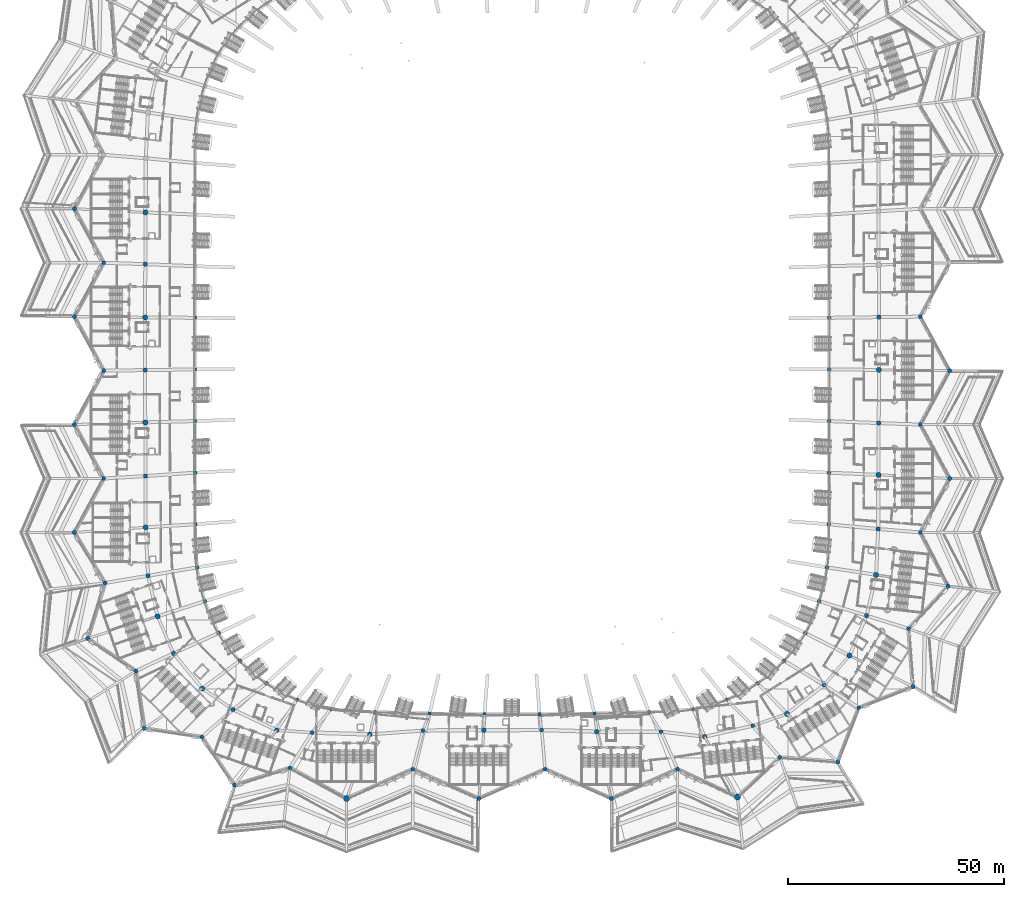
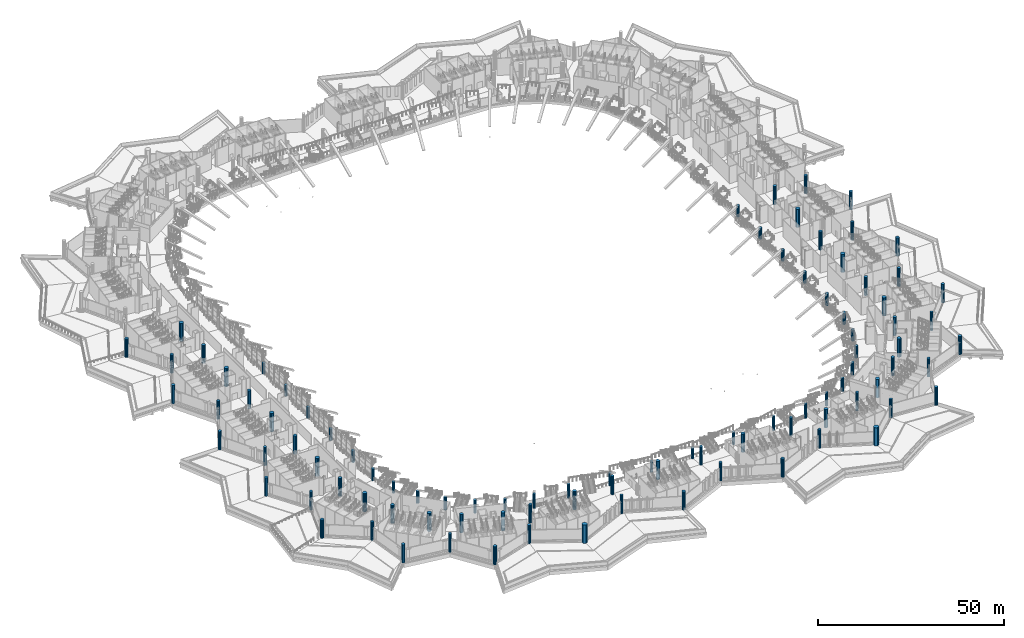
# One storey, part 1 of 173: 94 columns.
"""IFC4 building model written with IfcOpenShell, lengths in metres."""

from ifc_helpers import new_model, si_unit, direction, frame, origin, origin_2d, place, context, subcontext, project, spatial, circle, extrude, material, material_profile, profile_set, type_object, element, save


model = new_model("IFC4")

# Units and contexts
model_context = context("Model", 3, precision=1e-05, world=origin(), true_north=direction((0.0, 1.0)))
body_context = subcontext(model_context, "Body", "Model", "MODEL_VIEW")
ifc_project = project(units=[si_unit("LENGTHUNIT", "METRE"), si_unit("AREAUNIT", "SQUARE_METRE"), si_unit("VOLUMEUNIT", "CUBIC_METRE"), si_unit("PLANEANGLEUNIT", "RADIAN"), si_unit("MASSUNIT", "GRAM", prefix="KILO")], contexts=[model_context])

# Site, building, storey
site_placement = place(None, origin())
site = spatial("IfcSite", under=ifc_project, at=site_placement, CompositionType="ELEMENT")
building_placement = place(site_placement, origin())
building = spatial("IfcBuilding", under=site, at=building_placement, Name="Meseta Stadium", CompositionType="ELEMENT")
storey_placement = place(building_placement, frame((0.0, 0.0, 18.0)))
storey = spatial("IfcBuildingStorey", under=building, at=storey_placement, Name="L03", CompositionType="ELEMENT", Elevation=18.0)

# Columns
ifc_material_1 = material(Name="Concrete C40/50", Category="concrete")
ifc_material_profile_1 = material_profile(ifc_material_1, circle(Radius=0.5, at=origin_2d()), Name="RC D1000")
ifc_profile_set_1 = profile_set([ifc_material_profile_1], Name="Concrete C40/50")
column_type_1 = type_object("IfcColumnType", Name="RC column D1000", PredefinedType="COLUMN", material=ifc_profile_set_1)
for number, where, z_axis, x_axis, name in (
    (1, (101.0517578125, -56.202880859375, 0.0), (0.0, 0.0, 1.0), (1.0, 0.0, 0.0), "Column C10 L03 frame 0 line R"),
    (2, (84.85400390625, -42.948486328125, 0.0), (0.0, 0.0, 1.0), (1.0, 0.0, 0.0), "Column C10 L03 frame 1 line P"),
    (3, (101.39990234375, -31.25, 0.0), (0.0, 0.0, 1.0), (1.0, 0.0, 0.0), "Column C10 L03 frame 2 line R"),
    (4, (84.97314453125, -18.41064453125, 0.0), (0.0, 0.0, 1.0), (1.0, 0.0, 0.0), "Column C10 L03 frame 3 line P"),
    (5, (101.39990234375, -6.25, 0.0), (0.0, 0.0, 1.0), (1.0, 0.0, 0.0), "Column C10 L03 frame 4 line R"),
    (6, (84.9970703125, 6.13720703125, 0.0), (0.0, 0.0, 1.0), (1.0, 0.0, 0.0), "Column C10 L03 frame 5 line P"),
    (7, (-101.39990234375, 31.25, 0.0), (0.0, 0.0, 1.0), (1.0, 0.0, 0.0), "Column C10 L03 frame 30 line R"),
    (8, (-84.97314453125, 18.41064453125, 0.0), (0.0, 0.0, 1.0), (1.0, 0.0, 0.0), "Column C10 L03 frame 31 line P"),
    (9, (-101.39990234375, 6.25, 0.0), (0.0, 0.0, 1.0), (1.0, 0.0, 0.0), "Column C10 L03 frame 32 line R"),
    (10, (-84.9970703125, -6.13720703125, 0.0), (0.0, 0.0, 1.0), (1.0, 0.0, 0.0), "Column C10 L03 frame 33 line P"),
    (11, (-101.39990234375, -18.75, 0.0), (0.0, 0.0, 1.0), (1.0, 0.0, 0.0), "Column C10 L03 frame 34 line R"),
    (12, (-84.92529296875, -30.681640625, 0.0), (0.0, 0.0, 1.0), (1.0, 0.0, 0.0), "Column C10 L03 frame 35 line P"),
    (13, (-101.39990234375, -43.75, 0.0), (0.0, 0.0, 1.0), (1.0, 0.0, 0.0), "Column C10 L03 frame 36 line R"),
    (14, (-84.3251953125, -53.801513671875, 0.0), (0.0, 0.0, 1.0), (1.0, 0.0, 0.0), "Column C10 L03 frame 37 line P"),
    (15, (-98.291015625, -68.29736328125, 0.0), (0.0, 0.0, 1.0), (1.0, 0.0, 0.0), "Column C10 L03 frame 38 line R"),
    (16, (-78.4453125, -71.756103515625, 0.0), (0.0, 0.0, 1.0), (1.0, 0.0, 0.0), "Column C10 L03 frame 39 line P"),
    (17, (-85.173828125, -89.173828125, 0.0), (0.0, 0.0, 1.0), (1.0, 0.0, 0.0), "Column C10 L03 frame 40 line R"),
    (18, (-64.6220703125, -84.79248046875, 0.0), (0.0, 0.0, 1.0), (1.0, 0.0, 0.0), "Column C10 L03 frame 41 line P"),
    (19, (-64.29736328125, -102.291015625, 0.0), (0.0, 0.0, 1.0), (1.0, 0.0, 0.0), "Column C10 L03 frame 42 line R"),
    (20, (-7.666748046875, -105.39990234375, 0.0), (0.0, 0.0, 1.0), (1.0, 0.0, 0.0), "Column C10 L03 frame 46 line R"),
    (21, (23.0, -105.39990234375, 0.0), (0.0, 0.0, 1.0), (1.0, 0.0, 0.0), "Column C10 L03 frame 48 line R"),
    (22, (75.474609375, -96.908447265625, 0.0), (0.0, 0.0, 1.0), (1.0, 0.0, 0.0), "Column C10 L03 frame 52 line R"),
    (23, (72.31201171875, -79.091064453125, 0.0), (0.0, 0.0, 1.0), (1.0, 0.0, 0.0), "Column C10 L03 frame 53 line P"),
    (24, (92.908447265625, -79.474609375, 0.0), (0.0, 0.0, 1.0), (1.0, 0.0, 0.0), "Column C10 L03 frame 54 line R"),
    (25, (82.169189453125, -63.03369140625, 0.0), (0.0, 0.0, 1.0), (1.0, 0.0, 0.0), "Column C10 L03 frame 55 line P"),
):
    element("IfcColumn", number, at=place(storey_placement, frame(where, z_axis=z_axis, x_axis=x_axis)), inside=storey, type_object=column_type_1, Name=name, PredefinedType="COLUMN", context=body_context, shape_type="SweptSolid", body=[
        extrude(circle(Radius=0.5, at=origin_2d()), origin(), (0.0, 0.0, 1.0), 6.0),
    ])
ifc_material_2 = material(Name="Concrete C40/50", Category="concrete")
ifc_material_profile_2 = material_profile(ifc_material_2, circle(Radius=0.550048828125, at=origin_2d()), Name="RC D1100")
ifc_profile_set_2 = profile_set([ifc_material_profile_2], Name="Concrete C40/50")
column_type_2 = type_object("IfcColumnType", Name="RC column D1100", PredefinedType="COLUMN", material=ifc_profile_set_2)
for number, where, z_axis, x_axis, name in (
    (26, (-54.523193359375, -89.579345703125, 0.0), (0.0, 0.0, 1.0), (1.0, 0.0, 0.0), "Column C11 L03 frame 42 line P"),
    (27, (-32.944091796875, -90.551025390625, 0.0), (0.0, 0.0, 1.0), (1.0, 0.0, 0.0), "Column C11 L03 frame 44 line P"),
    (28, (-6.51708984375, -89.54638671875, 0.0), (0.0, 0.0, 1.0), (1.0, 0.0, 0.0), "Column C11 L03 frame 46 line P"),
    (29, (19.62744140625, -89.90380859375, 0.0), (0.0, 0.0, 1.0), (1.0, 0.0, 0.0), "Column C11 L03 frame 48 line P"),
    (30, (44.6826171875, -91.0908203125, 0.0), (0.0, 0.0, 1.0), (1.0, 0.0, 0.0), "Column C11 L03 frame 50 line P"),
):
    element("IfcColumn", number, at=place(storey_placement, frame(where, z_axis=z_axis, x_axis=x_axis)), inside=storey, type_object=column_type_2, Name=name, PredefinedType="COLUMN", context=body_context, shape_type="SweptSolid", body=[
        extrude(circle(Radius=0.550048828125, at=origin_2d()), origin(), (0.0, 0.0, 1.0), 6.0),
    ])
ifc_material_3 = material(Name="Concrete C40/50", Category="concrete")
ifc_material_profile_3 = material_profile(ifc_material_3, circle(Radius=0.60009765625, at=origin_2d()), Name="RC D1200")
ifc_profile_set_3 = profile_set([ifc_material_profile_3], Name="Concrete C40/50")
column_type_3 = type_object("IfcColumnType", Name="RC column D1200", PredefinedType="COLUMN", material=ifc_profile_set_3)
for number, where, z_axis, x_axis, name in (
    (31, (84.36328125, -53.5654296875, 0.0), (0.0, 0.0, 1.0), (1.0, 0.0, 0.0), "Column C12 L03 frame 0 line P"),
    (32, (84.940673828125, -30.404052734375, 0.0), (0.0, 0.0, 1.0), (1.0, 0.0, 0.0), "Column C12 L03 frame 2 line P"),
    (33, (84.99755859375, -6.081298828125, 0.0), (0.0, 0.0, 1.0), (1.0, 0.0, 0.0), "Column C12 L03 frame 4 line P"),
    (34, (-84.940673828125, 30.404052734375, 0.0), (0.0, 0.0, 1.0), (1.0, 0.0, 0.0), "Column C12 L03 frame 30 line P"),
    (35, (-84.99755859375, 6.081298828125, 0.0), (0.0, 0.0, 1.0), (1.0, 0.0, 0.0), "Column C12 L03 frame 32 line P"),
    (36, (-84.978515625, -18.24365234375, 0.0), (0.0, 0.0, 1.0), (1.0, 0.0, 0.0), "Column C12 L03 frame 34 line P"),
    (37, (-84.884033203125, -42.5615234375, 0.0), (0.0, 0.0, 1.0), (1.0, 0.0, 0.0), "Column C12 L03 frame 36 line P"),
    (38, (-82.119873046875, -63.191162109375, 0.0), (0.0, 0.0, 1.0), (1.0, 0.0, 0.0), "Column C12 L03 frame 38 line P"),
    (39, (-71.775390625, -79.888916015625, 0.0), (0.0, 0.0, 1.0), (1.0, 0.0, 0.0), "Column C12 L03 frame 40 line P"),
    (40, (63.731201171875, -85.77099609375, 0.0), (0.0, 0.0, 1.0), (1.0, 0.0, 0.0), "Column C12 L03 frame 52 line P"),
    (41, (78.197998046875, -72.27197265625, 0.0), (0.0, 0.0, 1.0), (1.0, 0.0, 0.0), "Column C12 L03 frame 54 line P"),
):
    element("IfcColumn", number, at=place(storey_placement, frame(where, z_axis=z_axis, x_axis=x_axis)), inside=storey, type_object=column_type_3, Name=name, PredefinedType="COLUMN", context=body_context, shape_type="SweptSolid", body=[
        extrude(circle(Radius=0.60009765625, at=origin_2d()), origin(), (0.0, 0.0, 1.0), 6.0),
    ])
ifc_material_4 = material(Name="Concrete C40/50", Category="concrete")
ifc_material_profile_4 = material_profile(ifc_material_4, circle(Radius=0.699951171875, at=origin_2d()), Name="RC D1400")
ifc_profile_set_4 = profile_set([ifc_material_profile_4], Name="Concrete C40/50")
column_type_4 = type_object("IfcColumnType", Name="RC column D1400", PredefinedType="COLUMN", material=ifc_profile_set_4)
for number, where, z_axis, x_axis, name in (
    (42, (-38.333251953125, -105.39990234375, 0.0), (0.0, 0.0, 1.0), (1.0, 0.0, 0.0), "Column C14 L03 frame 44 line R"),
    (43, (52.202880859375, -105.0517578125, 0.0), (0.0, 0.0, 1.0), (1.0, 0.0, 0.0), "Column C14 L03 frame 50 line R"),
):
    element("IfcColumn", number, at=place(storey_placement, frame(where, z_axis=z_axis, x_axis=x_axis)), inside=storey, type_object=column_type_4, Name=name, PredefinedType="COLUMN", context=body_context, shape_type="SweptSolid", body=[
        extrude(circle(Radius=0.699951171875, at=origin_2d()), origin(), (0.0, 0.0, 1.0), 6.0),
    ])
ifc_material_5 = material(Name="Concrete C40/50", Category="concrete")
ifc_material_profile_5 = material_profile(ifc_material_5, circle(Radius=0.39990234375, at=origin_2d()), Name="RC D800")
ifc_profile_set_5 = profile_set([ifc_material_profile_5], Name="Concrete C40/50")
column_type_5 = type_object("IfcColumnType", Name="RC column D800", PredefinedType="COLUMN", material=ifc_profile_set_5)
column_1_placement = place(storey_placement, frame((-49.791259765625, -82.498779296875, 0.0), z_axis=(0.0, 0.0, 1.0), x_axis=(1.0, 0.0, 0.0)))
element("IfcColumn", 44, at=column_1_placement, inside=storey, type_object=column_type_5, Name="Column C8 L03 frame 42 line E", PredefinedType="COLUMN", context=body_context, shape_type="SweptSolid", body=[
    extrude(circle(Radius=0.39990234375, at=origin_2d()), origin(), (0.0, 0.0, 1.0), 4.396484375),
])
column_2_placement = place(storey_placement, frame((-42.015625, -84.707275390625, 0.0), z_axis=(0.0, 0.0, 1.0), x_axis=(1.0, 0.0, 0.0)))
element("IfcColumn", 45, at=column_2_placement, inside=storey, type_object=column_type_5, Name="Column C8 L03 frame 43 line E", PredefinedType="COLUMN", context=body_context, shape_type="SweptSolid", body=[
    extrude(circle(Radius=0.39990234375, at=origin_2d()), origin(), (0.0, 0.0, 1.0), 4.806884765625),
])
column_3_placement = place(storey_placement, frame((-31.73681640625, -85.376708984375, 0.0), z_axis=(0.0, 0.0, 1.0), x_axis=(1.0, 0.0, 0.0)))
element("IfcColumn", 46, at=column_3_placement, inside=storey, type_object=column_type_5, Name="Column C8 L03 frame 44 line E", PredefinedType="COLUMN", context=body_context, shape_type="SweptSolid", body=[
    extrude(circle(Radius=0.39990234375, at=origin_2d()), origin(), (0.0, 0.0, 1.0), 4.6865234375),
])
column_4_placement = place(storey_placement, frame((-19.11865234375, -85.6982421875, 0.0), z_axis=(0.0, 0.0, 1.0), x_axis=(1.0, 0.0, 0.0)))
element("IfcColumn", 47, at=column_4_placement, inside=storey, type_object=column_type_5, Name="Column C8 L03 frame 45 line E", PredefinedType="COLUMN", context=body_context, shape_type="SweptSolid", body=[
    extrude(circle(Radius=0.39990234375, at=origin_2d()), origin(), (0.0, 0.0, 1.0), 4.1533203125),
])
for number, where, z_axis, x_axis, name in (
    (48, (-6.386962890625, -85.876708984375, 0.0), (0.0, 0.0, 1.0), (1.0, 0.0, 0.0), "Column C8 L03 frame 46 line E"),
    (49, (6.386962890625, -85.876708984375, 0.0), (0.0, 0.0, 1.0), (1.0, 0.0, 0.0), "Column C8 L03 frame 47 line E"),
):
    element("IfcColumn", number, at=place(storey_placement, frame(where, z_axis=z_axis, x_axis=x_axis)), inside=storey, type_object=column_type_5, Name=name, PredefinedType="COLUMN", context=body_context, shape_type="SweptSolid", body=[
        extrude(circle(Radius=0.39990234375, at=origin_2d()), origin(), (0.0, 0.0, 1.0), 3.582763671875),
    ])
column_5_placement = place(storey_placement, frame((19.11865234375, -85.6982421875, 0.0), z_axis=(0.0, 0.0, 1.0), x_axis=(1.0, 0.0, 0.0)))
element("IfcColumn", 50, at=column_5_placement, inside=storey, type_object=column_type_5, Name="Column C8 L03 frame 48 line E", PredefinedType="COLUMN", context=body_context, shape_type="SweptSolid", body=[
    extrude(circle(Radius=0.39990234375, at=origin_2d()), origin(), (0.0, 0.0, 1.0), 4.1533203125),
])
column_6_placement = place(storey_placement, frame((31.73681640625, -85.376708984375, 0.0), z_axis=(0.0, 0.0, 1.0), x_axis=(1.0, 0.0, 0.0)))
element("IfcColumn", 51, at=column_6_placement, inside=storey, type_object=column_type_5, Name="Column C8 L03 frame 49 line E", PredefinedType="COLUMN", context=body_context, shape_type="SweptSolid", body=[
    extrude(circle(Radius=0.39990234375, at=origin_2d()), origin(), (0.0, 0.0, 1.0), 4.6865234375),
])
column_7_placement = place(storey_placement, frame((42.015625, -84.707275390625, 0.0), z_axis=(0.0, 0.0, 1.0), x_axis=(1.0, 0.0, 0.0)))
element("IfcColumn", 52, at=column_7_placement, inside=storey, type_object=column_type_5, Name="Column C8 L03 frame 50 line E", PredefinedType="COLUMN", context=body_context, shape_type="SweptSolid", body=[
    extrude(circle(Radius=0.39990234375, at=origin_2d()), origin(), (0.0, 0.0, 1.0), 4.806884765625),
])
column_8_placement = place(storey_placement, frame((49.791259765625, -82.498779296875, 0.0), z_axis=(0.0, 0.0, 1.0), x_axis=(1.0, 0.0, 0.0)))
element("IfcColumn", 53, at=column_8_placement, inside=storey, type_object=column_type_5, Name="Column C8 L03 frame 51 line E", PredefinedType="COLUMN", context=body_context, shape_type="SweptSolid", body=[
    extrude(circle(Radius=0.39990234375, at=origin_2d()), origin(), (0.0, 0.0, 1.0), 4.396484375),
])
ifc_material_6 = material(Name="Concrete C40/50", Category="concrete")
ifc_material_profile_6 = material_profile(ifc_material_6, circle(Radius=0.449951171875, at=origin_2d()), Name="RC D900")
ifc_profile_set_6 = profile_set([ifc_material_profile_6], Name="Concrete C40/50")
column_type_6 = type_object("IfcColumnType", Name="RC column D900", PredefinedType="COLUMN", material=ifc_profile_set_6)
column_9_placement = place(storey_placement, frame((72.9921875, -51.84716796875, 0.0), z_axis=(0.0, 0.0, 1.0), x_axis=(1.0, 0.0, 0.0)))
element("IfcColumn", 54, at=column_9_placement, inside=storey, type_object=column_type_6, Name="Column C9 L03 frame 0 line E", PredefinedType="COLUMN", context=body_context, shape_type="SweptSolid", body=[
    extrude(circle(Radius=0.449951171875, at=origin_2d()), origin(), (0.0, 0.0, 1.0), 3.880615234375),
])
column_10_placement = place(storey_placement, frame((73.40478515625, -41.8623046875, 0.0), z_axis=(0.0, 0.0, 1.0), x_axis=(1.0, 0.0, 0.0)))
element("IfcColumn", 55, at=column_10_placement, inside=storey, type_object=column_type_6, Name="Column C9 L03 frame 1 line E", PredefinedType="COLUMN", context=body_context, shape_type="SweptSolid", body=[
    extrude(circle(Radius=0.449951171875, at=origin_2d()), origin(), (0.0, 0.0, 1.0), 3.88037109375),
])
column_11_placement = place(storey_placement, frame((94.60009765625, -43.75, 0.0), z_axis=(0.0, 0.0, 1.0), x_axis=(1.0, 0.0, 0.0)))
element("IfcColumn", 56, at=column_11_placement, inside=storey, type_object=column_type_6, Name="Column C9 L03 frame 1 line R", PredefinedType="COLUMN", context=body_context, shape_type="SweptSolid", body=[
    extrude(circle(Radius=0.449951171875, at=origin_2d()), origin(), (0.0, 0.0, 1.0), 6.0),
])
column_12_placement = place(storey_placement, frame((73.451171875, -29.904052734375, 0.0), z_axis=(0.0, 0.0, 1.0), x_axis=(1.0, 0.0, 0.0)))
element("IfcColumn", 57, at=column_12_placement, inside=storey, type_object=column_type_6, Name="Column C9 L03 frame 2 line E", PredefinedType="COLUMN", context=body_context, shape_type="SweptSolid", body=[
    extrude(circle(Radius=0.449951171875, at=origin_2d()), origin(), (0.0, 0.0, 1.0), 3.8037109375),
])
column_13_placement = place(storey_placement, frame((73.482421875, -17.943603515625, 0.0), z_axis=(0.0, 0.0, 1.0), x_axis=(1.0, 0.0, 0.0)))
element("IfcColumn", 58, at=column_13_placement, inside=storey, type_object=column_type_6, Name="Column C9 L03 frame 3 line E", PredefinedType="COLUMN", context=body_context, shape_type="SweptSolid", body=[
    extrude(circle(Radius=0.449951171875, at=origin_2d()), origin(), (0.0, 0.0, 1.0), 3.726806640625),
])
column_14_placement = place(storey_placement, frame((94.60009765625, -18.75, 0.0), z_axis=(0.0, 0.0, 1.0), x_axis=(1.0, 0.0, 0.0)))
element("IfcColumn", 59, at=column_14_placement, inside=storey, type_object=column_type_6, Name="Column C9 L03 frame 3 line R", PredefinedType="COLUMN", context=body_context, shape_type="SweptSolid", body=[
    extrude(circle(Radius=0.449951171875, at=origin_2d()), origin(), (0.0, 0.0, 1.0), 6.0),
])
for number, where, z_axis, x_axis, name in (
    (60, (73.498046875, -5.9814453125, 0.0), (0.0, 0.0, 1.0), (1.0, 0.0, 0.0), "Column C9 L03 frame 4 line E"),
    (61, (73.498046875, 5.9814453125, 0.0), (0.0, 0.0, 1.0), (1.0, 0.0, 0.0), "Column C9 L03 frame 5 line E"),
):
    element("IfcColumn", number, at=place(storey_placement, frame(where, z_axis=z_axis, x_axis=x_axis)), inside=storey, type_object=column_type_6, Name=name, PredefinedType="COLUMN", context=body_context, shape_type="SweptSolid", body=[
        extrude(circle(Radius=0.449951171875, at=origin_2d()), origin(), (0.0, 0.0, 1.0), 3.649658203125),
    ])
for number, where, z_axis, x_axis, name in (
    (62, (94.60009765625, 6.25, 0.0), (0.0, 0.0, 1.0), (1.0, 0.0, 0.0), "Column C9 L03 frame 5 line R"),
    (63, (-94.60009765625, 18.75, 0.0), (0.0, 0.0, 1.0), (1.0, 0.0, 0.0), "Column C9 L03 frame 31 line R"),
):
    element("IfcColumn", number, at=place(storey_placement, frame(where, z_axis=z_axis, x_axis=x_axis)), inside=storey, type_object=column_type_6, Name=name, PredefinedType="COLUMN", context=body_context, shape_type="SweptSolid", body=[
        extrude(circle(Radius=0.449951171875, at=origin_2d()), origin(), (0.0, 0.0, 1.0), 6.0),
    ])
for number, where, z_axis, x_axis, name in (
    (64, (-73.498046875, 5.9814453125, 0.0), (0.0, 0.0, 1.0), (1.0, 0.0, 0.0), "Column C9 L03 frame 32 line E"),
    (65, (-73.498046875, -5.9814453125, 0.0), (0.0, 0.0, 1.0), (1.0, 0.0, 0.0), "Column C9 L03 frame 33 line E"),
):
    element("IfcColumn", number, at=place(storey_placement, frame(where, z_axis=z_axis, x_axis=x_axis)), inside=storey, type_object=column_type_6, Name=name, PredefinedType="COLUMN", context=body_context, shape_type="SweptSolid", body=[
        extrude(circle(Radius=0.449951171875, at=origin_2d()), origin(), (0.0, 0.0, 1.0), 3.649658203125),
    ])
column_15_placement = place(storey_placement, frame((-94.60009765625, -6.25, 0.0), z_axis=(0.0, 0.0, 1.0), x_axis=(1.0, 0.0, 0.0)))
element("IfcColumn", 66, at=column_15_placement, inside=storey, type_object=column_type_6, Name="Column C9 L03 frame 33 line R", PredefinedType="COLUMN", context=body_context, shape_type="SweptSolid", body=[
    extrude(circle(Radius=0.449951171875, at=origin_2d()), origin(), (0.0, 0.0, 1.0), 6.0),
])
column_16_placement = place(storey_placement, frame((-73.482421875, -17.943603515625, 0.0), z_axis=(0.0, 0.0, 1.0), x_axis=(1.0, 0.0, 0.0)))
element("IfcColumn", 67, at=column_16_placement, inside=storey, type_object=column_type_6, Name="Column C9 L03 frame 34 line E", PredefinedType="COLUMN", context=body_context, shape_type="SweptSolid", body=[
    extrude(circle(Radius=0.449951171875, at=origin_2d()), origin(), (0.0, 0.0, 1.0), 3.726806640625),
])
column_17_placement = place(storey_placement, frame((-73.451171875, -29.904052734375, 0.0), z_axis=(0.0, 0.0, 1.0), x_axis=(1.0, 0.0, 0.0)))
element("IfcColumn", 68, at=column_17_placement, inside=storey, type_object=column_type_6, Name="Column C9 L03 frame 35 line E", PredefinedType="COLUMN", context=body_context, shape_type="SweptSolid", body=[
    extrude(circle(Radius=0.449951171875, at=origin_2d()), origin(), (0.0, 0.0, 1.0), 3.8037109375),
])
column_18_placement = place(storey_placement, frame((-94.60009765625, -31.25, 0.0), z_axis=(0.0, 0.0, 1.0), x_axis=(1.0, 0.0, 0.0)))
element("IfcColumn", 69, at=column_18_placement, inside=storey, type_object=column_type_6, Name="Column C9 L03 frame 35 line R", PredefinedType="COLUMN", context=body_context, shape_type="SweptSolid", body=[
    extrude(circle(Radius=0.449951171875, at=origin_2d()), origin(), (0.0, 0.0, 1.0), 6.0),
])
column_19_placement = place(storey_placement, frame((-73.40478515625, -41.8623046875, 0.0), z_axis=(0.0, 0.0, 1.0), x_axis=(1.0, 0.0, 0.0)))
element("IfcColumn", 70, at=column_19_placement, inside=storey, type_object=column_type_6, Name="Column C9 L03 frame 36 line E", PredefinedType="COLUMN", context=body_context, shape_type="SweptSolid", body=[
    extrude(circle(Radius=0.449951171875, at=origin_2d()), origin(), (0.0, 0.0, 1.0), 3.88037109375),
])
column_20_placement = place(storey_placement, frame((-72.9921875, -51.84716796875, 0.0), z_axis=(0.0, 0.0, 1.0), x_axis=(1.0, 0.0, 0.0)))
element("IfcColumn", 71, at=column_20_placement, inside=storey, type_object=column_type_6, Name="Column C9 L03 frame 37 line E", PredefinedType="COLUMN", context=body_context, shape_type="SweptSolid", body=[
    extrude(circle(Radius=0.449951171875, at=origin_2d()), origin(), (0.0, 0.0, 1.0), 3.880615234375),
])
column_21_placement = place(storey_placement, frame((-94.29443359375, -55.44140625, 0.0), z_axis=(0.0, 0.0, 1.0), x_axis=(1.0, 0.0, 0.0)))
element("IfcColumn", 72, at=column_21_placement, inside=storey, type_object=column_type_6, Name="Column C9 L03 frame 37 line R", PredefinedType="COLUMN", context=body_context, shape_type="SweptSolid", body=[
    extrude(circle(Radius=0.449951171875, at=origin_2d()), origin(), (0.0, 0.0, 1.0), 6.0),
])
column_22_placement = place(storey_placement, frame((-71.169677734375, -59.67724609375, 0.0), z_axis=(0.0, 0.0, 1.0), x_axis=(1.0, 0.0, 0.0)))
element("IfcColumn", 73, at=column_22_placement, inside=storey, type_object=column_type_6, Name="Column C9 L03 frame 38 line E", PredefinedType="COLUMN", context=body_context, shape_type="SweptSolid", body=[
    extrude(circle(Radius=0.449951171875, at=origin_2d()), origin(), (0.0, 0.0, 1.0), 3.697509765625),
])
column_23_placement = place(storey_placement, frame((-67.972412109375, -67.057861328125, 0.0), z_axis=(0.0, 0.0, 1.0), x_axis=(1.0, 0.0, 0.0)))
element("IfcColumn", 74, at=column_23_placement, inside=storey, type_object=column_type_6, Name="Column C9 L03 frame 39 line E", PredefinedType="COLUMN", context=body_context, shape_type="SweptSolid", body=[
    extrude(circle(Radius=0.449951171875, at=origin_2d()), origin(), (0.0, 0.0, 1.0), 3.95361328125),
])
column_24_placement = place(storey_placement, frame((-87.15087890625, -75.856689453125, 0.0), z_axis=(0.0, 0.0, 1.0), x_axis=(1.0, 0.0, 0.0)))
element("IfcColumn", 75, at=column_24_placement, inside=storey, type_object=column_type_6, Name="Column C9 L03 frame 39 line R", PredefinedType="COLUMN", context=body_context, shape_type="SweptSolid", body=[
    extrude(circle(Radius=0.449951171875, at=origin_2d()), origin(), (0.0, 0.0, 1.0), 6.0),
])
column_25_placement = place(storey_placement, frame((-63.068115234375, -73.469970703125, 0.0), z_axis=(0.0, 0.0, 1.0), x_axis=(1.0, 0.0, 0.0)))
element("IfcColumn", 76, at=column_25_placement, inside=storey, type_object=column_type_6, Name="Column C9 L03 frame 40 line E", PredefinedType="COLUMN", context=body_context, shape_type="SweptSolid", body=[
    extrude(circle(Radius=0.449951171875, at=origin_2d()), origin(), (0.0, 0.0, 1.0), 4.12109375),
])
column_26_placement = place(storey_placement, frame((-56.9150390625, -78.69580078125, 0.0), z_axis=(0.0, 0.0, 1.0), x_axis=(1.0, 0.0, 0.0)))
element("IfcColumn", 77, at=column_26_placement, inside=storey, type_object=column_type_6, Name="Column C9 L03 frame 41 line E", PredefinedType="COLUMN", context=body_context, shape_type="SweptSolid", body=[
    extrude(circle(Radius=0.449951171875, at=origin_2d()), origin(), (0.0, 0.0, 1.0), 4.2802734375),
])
for number, where, z_axis, x_axis, name in (
    (78, (-71.856689453125, -91.15087890625, 0.0), (0.0, 0.0, 1.0), (1.0, 0.0, 0.0), "Column C9 L03 frame 41 line R"),
    (79, (-46.333251953125, -90.126220703125, 0.0), (0.0, 0.0, 1.0), (1.0, 0.0, 0.0), "Column C9 L03 frame 43 line P"),
    (80, (-51.44140625, -98.29443359375, 0.0), (0.0, 0.0, 1.0), (1.0, 0.0, 0.0), "Column C9 L03 frame 43 line R"),
    (81, (-20.649658203125, -89.65625, 0.0), (0.0, 0.0, 1.0), (1.0, 0.0, 0.0), "Column C9 L03 frame 45 line P"),
    (82, (-23.0, -98.60009765625, 0.0), (0.0, 0.0, 1.0), (1.0, 0.0, 0.0), "Column C9 L03 frame 45 line R"),
    (83, (6.870849609375, -89.517822265625, 0.0), (0.0, 0.0, 1.0), (1.0, 0.0, 0.0), "Column C9 L03 frame 47 line P"),
    (84, (7.666748046875, -98.60009765625, 0.0), (0.0, 0.0, 1.0), (1.0, 0.0, 0.0), "Column C9 L03 frame 47 line R"),
    (85, (34.53076171875, -89.911865234375, 0.0), (0.0, 0.0, 1.0), (1.0, 0.0, 0.0), "Column C9 L03 frame 49 line P"),
    (86, (38.333251953125, -98.60009765625, 0.0), (0.0, 0.0, 1.0), (1.0, 0.0, 0.0), "Column C9 L03 frame 49 line R"),
    (87, (55.799560546875, -88.541748046875, 0.0), (0.0, 0.0, 1.0), (1.0, 0.0, 0.0), "Column C9 L03 frame 51 line P"),
    (88, (62.051513671875, -95.872802734375, 0.0), (0.0, 0.0, 1.0), (1.0, 0.0, 0.0), "Column C9 L03 frame 51 line R"),
):
    element("IfcColumn", number, at=place(storey_placement, frame(where, z_axis=z_axis, x_axis=x_axis)), inside=storey, type_object=column_type_6, Name=name, PredefinedType="COLUMN", context=body_context, shape_type="SweptSolid", body=[
        extrude(circle(Radius=0.449951171875, at=origin_2d()), origin(), (0.0, 0.0, 1.0), 6.0),
    ])
column_27_placement = place(storey_placement, frame((56.9150390625, -78.69580078125, 0.0), z_axis=(0.0, 0.0, 1.0), x_axis=(1.0, 0.0, 0.0)))
element("IfcColumn", 89, at=column_27_placement, inside=storey, type_object=column_type_6, Name="Column C9 L03 frame 52 line E", PredefinedType="COLUMN", context=body_context, shape_type="SweptSolid", body=[
    extrude(circle(Radius=0.449951171875, at=origin_2d()), origin(), (0.0, 0.0, 1.0), 4.2802734375),
])
column_28_placement = place(storey_placement, frame((63.068115234375, -73.469970703125, 0.0), z_axis=(0.0, 0.0, 1.0), x_axis=(1.0, 0.0, 0.0)))
element("IfcColumn", 90, at=column_28_placement, inside=storey, type_object=column_type_6, Name="Column C9 L03 frame 53 line E", PredefinedType="COLUMN", context=body_context, shape_type="SweptSolid", body=[
    extrude(circle(Radius=0.449951171875, at=origin_2d()), origin(), (0.0, 0.0, 1.0), 4.12109375),
])
column_29_placement = place(storey_placement, frame((80.365478515625, -84.365478515625, 0.0), z_axis=(0.0, 0.0, 1.0), x_axis=(1.0, 0.0, 0.0)))
element("IfcColumn", 91, at=column_29_placement, inside=storey, type_object=column_type_6, Name="Column C9 L03 frame 53 line R", PredefinedType="COLUMN", context=body_context, shape_type="SweptSolid", body=[
    extrude(circle(Radius=0.449951171875, at=origin_2d()), origin(), (0.0, 0.0, 1.0), 6.0),
])
column_30_placement = place(storey_placement, frame((67.972412109375, -67.057861328125, 0.0), z_axis=(0.0, 0.0, 1.0), x_axis=(1.0, 0.0, 0.0)))
element("IfcColumn", 92, at=column_30_placement, inside=storey, type_object=column_type_6, Name="Column C9 L03 frame 54 line E", PredefinedType="COLUMN", context=body_context, shape_type="SweptSolid", body=[
    extrude(circle(Radius=0.449951171875, at=origin_2d()), origin(), (0.0, 0.0, 1.0), 3.95361328125),
])
column_31_placement = place(storey_placement, frame((71.169677734375, -59.67724609375, 0.0), z_axis=(0.0, 0.0, 1.0), x_axis=(1.0, 0.0, 0.0)))
element("IfcColumn", 93, at=column_31_placement, inside=storey, type_object=column_type_6, Name="Column C9 L03 frame 55 line E", PredefinedType="COLUMN", context=body_context, shape_type="SweptSolid", body=[
    extrude(circle(Radius=0.449951171875, at=origin_2d()), origin(), (0.0, 0.0, 1.0), 3.697509765625),
])
column_32_placement = place(storey_placement, frame((91.872802734375, -66.051513671875, 0.0), z_axis=(0.0, 0.0, 1.0), x_axis=(1.0, 0.0, 0.0)))
element("IfcColumn", 94, at=column_32_placement, inside=storey, type_object=column_type_6, Name="Column C9 L03 frame 55 line R", PredefinedType="COLUMN", context=body_context, shape_type="SweptSolid", body=[
    extrude(circle(Radius=0.449951171875, at=origin_2d()), origin(), (0.0, 0.0, 1.0), 6.0),
])

save(model, "model.ifc")
